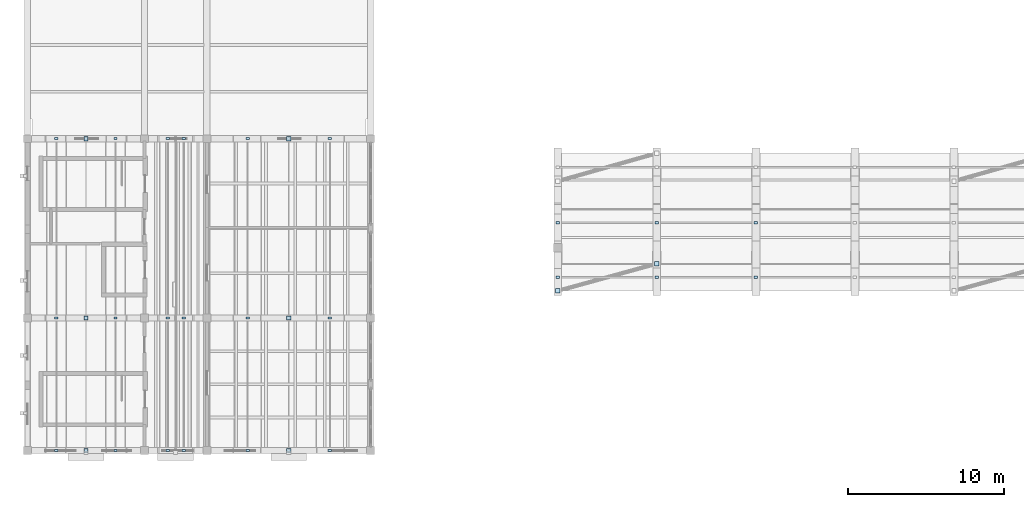
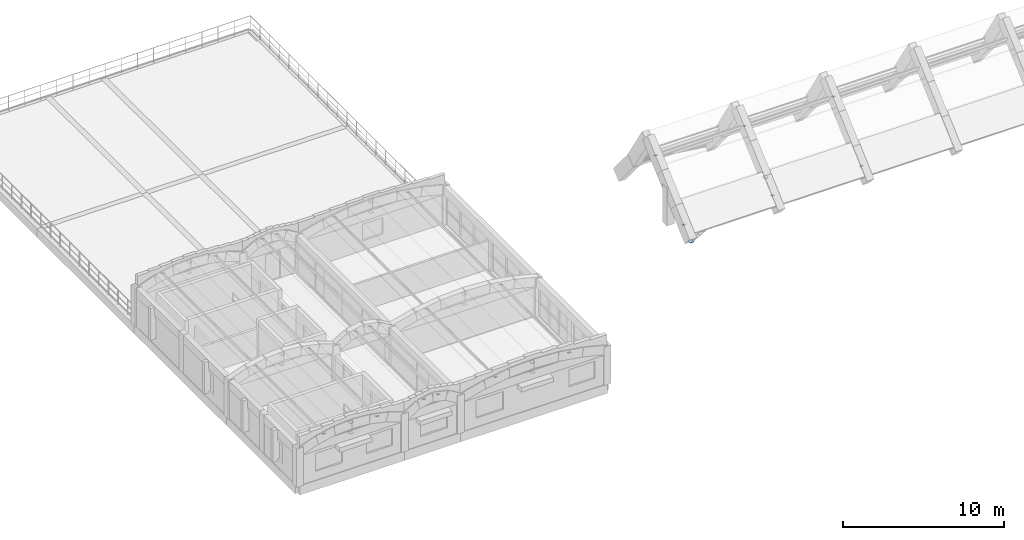
# One storey, part 23 of 40: 38 plates.
"""IFC4 building model written with IfcOpenShell, lengths in metres."""

import ifcopenshell
import ifcopenshell.guid

model = None  # the IFC model being written
_history = None  # IfcOwnerHistory: only IFC2X3 demands one
_inside = {}  # id of a spatial element -> (the spatial element, [elements in it])
_under = {}  # id of a project, library or spatial element -> (it, [spatial elements below it])
_declared = {}  # id of a project -> (the project, [libraries it declares])
_typed = {}  # id of a type object -> (the type object, [elements of that type])
_made_of = {}  # id of a material, layer set ... -> (it, [elements and type objects made of it])


def new_model(schema):
    """Start an empty IFC model of exactly this schema.

    Asked for "IFC4X3", IfcOpenShell would pick the latest addendum, in which some entities
    have other attributes; the version numbers below select the first issue.
    IFC2X3 requires an IfcOwnerHistory on every rooted entity: one is made here for all.
    """
    global model, _history
    if schema == "IFC4X3":
        model = ifcopenshell.file(schema_version=(4, 3, 0, 0))
    else:
        model = ifcopenshell.file(schema=schema)
    _inside.clear()
    _under.clear()
    _declared.clear()
    _typed.clear()
    _made_of.clear()
    _history = None
    if model.schema == "IFC2X3":
        org = make("IfcOrganization", Name="unknown")
        user = make(
            "IfcPersonAndOrganization",
            ThePerson=make("IfcPerson", FamilyName="unknown"),
            TheOrganization=org,
        )
        app = make(
            "IfcApplication",
            ApplicationDeveloper=org,
            Version="unknown",
            ApplicationFullName="unknown",
            ApplicationIdentifier="unknown",
        )
        _history = make(
            "IfcOwnerHistory",
            OwningUser=user,
            OwningApplication=app,
            ChangeAction="ADDED",
            CreationDate=0,
        )
    return model


def make(cls, **values):
    """One entity of the class cls with the attributes given. An attribute that is None is left unset."""
    return model.create_entity(
        cls, **{name: value for name, value in values.items() if value is not None}
    )


def rooted(cls, **values):
    """An entity with a GlobalId (a new one), such as an element, a storey or a relation."""
    return make(cls, GlobalId=ifcopenshell.guid.new(), OwnerHistory=_history, **values)


def si_unit(unit_type, name, prefix=None):
    """IfcSIUnit, for example si_unit("LENGTHUNIT", "METRE", prefix="MILLI")."""
    return make("IfcSIUnit", UnitType=unit_type, Prefix=prefix, Name=name)


def assignment(units):
    """IfcUnitAssignment: the units of a project."""
    return None if units is None else make("IfcUnitAssignment", Units=units)


def point(xyz):
    """IfcCartesianPoint."""
    return None if xyz is None else make("IfcCartesianPoint", Coordinates=xyz)


def direction(xyz):
    """IfcDirection."""
    return None if xyz is None else make("IfcDirection", DirectionRatios=xyz)


def frame(location, z_axis=None, x_axis=None):
    """IfcAxis2Placement3D, a coordinate frame: its origin and axes. An axis left out is left unset."""
    return make(
        "IfcAxis2Placement3D",
        Location=point(location),
        Axis=direction(z_axis),
        RefDirection=direction(x_axis),
    )


def frame_2d(location, x_axis=None):
    """IfcAxis2Placement2D, a coordinate frame in the plane: its origin and x axis."""
    return make(
        "IfcAxis2Placement2D", Location=point(location), RefDirection=direction(x_axis)
    )


def origin():
    """The frame at (0, 0, 0) with its axes left unset."""
    return frame((0.0, 0.0, 0.0))


def origin_2d():
    """The frame at (0, 0) in the plane with its x axis left unset."""
    return frame_2d((0.0, 0.0))


def place(relative_to, where):
    """IfcLocalPlacement: puts the frame where relative to a parent placement (None: the world)."""
    return make(
        "IfcLocalPlacement", PlacementRelTo=relative_to, RelativePlacement=where
    )


def context(
    kind, dimensions, precision=None, world=None, true_north=None, identifier=None
):
    """IfcGeometricRepresentationContext, for example the 3D "Model" context."""
    return make(
        "IfcGeometricRepresentationContext",
        ContextIdentifier=identifier,
        ContextType=kind,
        CoordinateSpaceDimension=dimensions,
        Precision=precision,
        WorldCoordinateSystem=world,
        TrueNorth=true_north,
    )


def subcontext(parent, identifier, kind, view, scale=None):
    """IfcGeometricRepresentationSubContext, for example "Body" below "Model"."""
    return make(
        "IfcGeometricRepresentationSubContext",
        ContextIdentifier=identifier,
        ContextType=kind,
        ParentContext=parent,
        TargetScale=scale,
        TargetView=view,
    )


def project(units=None, contexts=None):
    """IfcProject with its units and contexts."""
    return rooted(
        "IfcProject",
        Name="project",
        RepresentationContexts=contexts,
        UnitsInContext=assignment(units),
    )


def spatial(cls, under=None, at=None, **own):
    """A site, building, storey or space (cls), placed at a placement, below another one or the project."""
    s = rooted(cls, ObjectPlacement=at, **own)
    if under is not None:
        _under.setdefault(under.id(), (under, []))[1].append(s)
    return s


def profile(cls, at=None, kind="AREA", **sizes):
    """A parametric profile (cls). Its sizes go by their IFC names, for example OverallWidth=200.0."""
    return make(cls, ProfileType=kind, Position=at, **sizes)


def rectangle(**sizes):
    """IfcRectangleProfileDef."""
    return profile("IfcRectangleProfileDef", **sizes)


def extrude(swept, where, along, depth):
    """IfcExtrudedAreaSolid: the profile swept, set in the frame where, extruded along a direction by depth."""
    return make(
        "IfcExtrudedAreaSolid",
        SweptArea=swept,
        Position=where,
        ExtrudedDirection=direction(along),
        Depth=depth,
    )


def shape(context_of_items, identifier, shape_type, items):
    """IfcShapeRepresentation: the items that make up one representation, for example the "Body"."""
    return make(
        "IfcShapeRepresentation",
        ContextOfItems=context_of_items,
        RepresentationIdentifier=identifier,
        RepresentationType=shape_type,
        Items=items,
    )


def material(Name=None, Category=None):
    """IfcMaterial."""
    return make("IfcMaterial", Name=Name, Category=Category)


def layer(
    of_material, thickness, ventilated=None, Name=None, Category=None, Priority=None
):
    """IfcMaterialLayer: one layer of a wall or slab, of a material (None: an air gap)."""
    return make(
        "IfcMaterialLayer",
        Material=of_material,
        LayerThickness=thickness,
        IsVentilated=ventilated,
        Name=Name,
        Category=Category,
        Priority=Priority,
    )


def layer_set(layers, Name=None):
    """IfcMaterialLayerSet."""
    return make("IfcMaterialLayerSet", MaterialLayers=layers, LayerSetName=Name)


def made_of(thing, what):
    """Note that an element or type object is made of a material, layer set ...; save() writes the relation."""
    if what is not None:
        _made_of.setdefault(what.id(), (what, []))[1].append(thing)
    return thing


def type_object(cls, material=None, **own):
    """A type object (cls), such as IfcWallType, which elements share."""
    return made_of(rooted(cls, **own), material)


def element(
    cls,
    number,
    at=None,
    inside=None,
    cuts=None,
    type_object=None,
    material=None,
    context=None,
    identifier="Body",
    shape_type=None,
    held_by="IfcProductDefinitionShape",
    body=None,
    shapes=None,
    **own,
):
    """One element of the class cls, such as IfcWall. Its Tag is "e" and its number.

    at: its placement. inside: the storey or other place that contains it. cuts: it is an
    opening in that element (IfcRelVoidsElement). A single representation is given by context,
    identifier, shape_type and body (its items); several are given by shapes. held_by: the class
    of the entity that holds the representations. save() writes the other relations.
    """
    e = rooted(cls, Tag="e%d" % number, ObjectPlacement=at, **own)
    if body is not None:
        shapes = [shape(context, identifier, shape_type, body)]
    if shapes is not None:
        e.Representation = make(held_by, Representations=shapes)
    if inside is not None:
        _inside.setdefault(inside.id(), (inside, []))[1].append(e)
    if cuts is not None:
        rooted(
            "IfcRelVoidsElement", RelatingBuildingElement=cuts, RelatedOpeningElement=e
        )
    if type_object is not None:
        _typed.setdefault(type_object.id(), (type_object, []))[1].append(e)
    return made_of(e, material)


def aggregate(whole, parts):
    """IfcRelAggregates: a whole, such as a stair, and the parts it consists of."""
    return rooted("IfcRelAggregates", RelatingObject=whole, RelatedObjects=parts)


def save(model, path):
    """Write the relations noted so far, then the file.

    IfcRelAggregates (storeys below a building ...), IfcRelContainedInSpatialStructure (elements
    in a storey), IfcRelDefinesByType, IfcRelAssociatesMaterial and IfcRelDeclares: one each for
    every whole, place, type object, material and project.
    """
    for whole, parts in _under.values():
        aggregate(whole, parts)
    for where, things in _inside.values():
        rooted(
            "IfcRelContainedInSpatialStructure",
            RelatedElements=things,
            RelatingStructure=where,
        )
    for kind, things in _typed.values():
        rooted("IfcRelDefinesByType", RelatedObjects=things, RelatingType=kind)
    for what, things in _made_of.values():
        rooted("IfcRelAssociatesMaterial", RelatedObjects=things, RelatingMaterial=what)
    for by, libraries in _declared.values():
        rooted("IfcRelDeclares", RelatingContext=by, RelatedDefinitions=libraries)
    model.write(path)


model = new_model("IFC4")

# Units and contexts
model_context = context("Model", 3, precision=1e-05, world=origin(), true_north=direction((0.0, 1.0)))
body_context = subcontext(model_context, "Body", "Model", "MODEL_VIEW")
ifc_project = project(units=[si_unit("LENGTHUNIT", "METRE"), si_unit("AREAUNIT", "SQUARE_METRE"), si_unit("VOLUMEUNIT", "CUBIC_METRE"), si_unit("PLANEANGLEUNIT", "RADIAN"), si_unit("MASSUNIT", "GRAM", prefix="KILO")], contexts=[model_context])

# Site, building, storey
site_placement = place(None, origin())
site = spatial("IfcSite", under=ifc_project, at=site_placement, CompositionType="ELEMENT")
building_placement = place(site_placement, origin())
building = spatial("IfcBuilding", under=site, at=building_placement, Name="Trellovar Central Fire Station", CompositionType="ELEMENT")
storey_placement = place(building_placement, frame((0.0, 0.0, 12.75)))
storey = spatial("IfcBuildingStorey", under=building, at=storey_placement, Name="L04", CompositionType="ELEMENT", Elevation=12.75)

# Plates
ifc_material_1 = material(Name="Steel ASTM A36", Category="steel")
ifc_layer_1 = layer(ifc_material_1, 0.02001953125)
ifc_layer_set_1 = layer_set([ifc_layer_1], Name="Steel ASTM A36")
plate_type_1 = type_object("IfcPlateType", Name="PLT-EP2", PredefinedType="SHEET", material=ifc_layer_set_1)
for number, where, z_axis, x_axis, name in (
    (1, (4.75, 9.0, 2.590087890625), (0.0, 0.0, 1.0), (1.0, 0.0, 0.0), "HSS end-cap plate 1"),
    (2, (4.75, 9.0, 3.369873046875), (0.0, 0.0, 1.0), (1.0, 0.0, 0.0), "HSS end-cap plate 2"),
    (3, (4.75, 17.5, 2.590087890625), (0.0, 0.0, 1.0), (1.0, 0.0, 0.0), "HSS end-cap plate 3"),
    (4, (4.75, 17.5, 3.369873046875), (0.0, 0.0, 1.0), (1.0, 0.0, 0.0), "HSS end-cap plate 4"),
    (5, (4.75, 29.0, 2.590087890625), (0.0, 0.0, 1.0), (1.0, 0.0, 0.0), "HSS end-cap plate 5"),
    (6, (4.75, 29.0, 3.369873046875), (0.0, 0.0, 1.0), (1.0, 0.0, 0.0), "HSS end-cap plate 6"),
    (7, (17.75, 9.0, 2.590087890625), (0.0, 0.0, 1.0), (1.0, 0.0, 0.0), "HSS end-cap plate 19"),
    (8, (17.75, 9.0, 3.369873046875), (0.0, 0.0, 1.0), (1.0, 0.0, 0.0), "HSS end-cap plate 20"),
    (9, (17.75, 17.5, 2.590087890625), (0.0, 0.0, 1.0), (1.0, 0.0, 0.0), "HSS end-cap plate 21"),
    (10, (17.75, 17.5, 3.369873046875), (0.0, 0.0, 1.0), (1.0, 0.0, 0.0), "HSS end-cap plate 22"),
    (11, (17.75, 29.0, 2.590087890625), (0.0, 0.0, 1.0), (1.0, 0.0, 0.0), "HSS end-cap plate 23"),
    (12, (17.75, 29.0, 3.369873046875), (0.0, 0.0, 1.0), (1.0, 0.0, 0.0), "HSS end-cap plate 24"),
    (13, (35.0, 19.239990234375, 0.239990234375), (0.0, 0.0, 1.0), (1.0, 0.0, 0.0), "HSS end-cap plate 203"),
    (14, (41.35009765625, 20.98681640625, 1.806640625), (0.0, 0.0, 1.0), (1.0, 0.0, 0.0), "HSS end-cap plate 204"),
):
    element("IfcPlate", number, at=place(storey_placement, frame(where, z_axis=z_axis, x_axis=x_axis)), inside=storey, type_object=plate_type_1, Name=name, PredefinedType="SHEET", context=body_context, shape_type="SweptSolid", body=[
        extrude(rectangle(XDim=0.280029296875, YDim=0.280029296875, at=origin_2d()), origin(), (0.0, 0.0, 1.0), 0.02001953125),
    ])
ifc_material_2 = material(Name="Steel ASTM A36", Category="steel")
ifc_layer_2 = layer(ifc_material_2, 0.01611328125)
ifc_layer_set_2 = layer_set([ifc_layer_2], Name="Steel ASTM A36")
plate_type_2 = type_object("IfcPlateType", Name="PLT-EP4", PredefinedType="SHEET", material=ifc_layer_set_2)
for number, where, z_axis, x_axis, name in (
    (15, (2.857177734375, 9.0, 3.18603515625), (0.0, 0.0, 1.0), (1.0, 0.0, 0.0), "HSS end-cap plate 7"),
    (16, (2.857177734375, 17.5, 3.18603515625), (0.0, 0.0, 1.0), (1.0, 0.0, 0.0), "HSS end-cap plate 8"),
    (17, (2.857177734375, 29.0, 3.18603515625), (0.0, 0.0, 1.0), (1.0, 0.0, 0.0), "HSS end-cap plate 9"),
    (18, (6.642578125, 9.0, 3.18603515625), (0.0, 0.0, 1.0), (1.0, 0.0, 0.0), "HSS end-cap plate 10"),
    (19, (6.642578125, 17.5, 3.18603515625), (0.0, 0.0, 1.0), (1.0, 0.0, 0.0), "HSS end-cap plate 11"),
    (20, (6.642578125, 29.0, 3.18603515625), (0.0, 0.0, 1.0), (1.0, 0.0, 0.0), "HSS end-cap plate 12"),
    (21, (9.9833984375, 9.0, 3.30859375), (0.0, 0.0, 1.0), (1.0, 0.0, 0.0), "HSS end-cap plate 13"),
    (22, (9.9833984375, 17.5, 3.30859375), (0.0, 0.0, 1.0), (1.0, 0.0, 0.0), "HSS end-cap plate 14"),
    (23, (9.9833984375, 29.0, 3.30859375), (0.0, 0.0, 1.0), (1.0, 0.0, 0.0), "HSS end-cap plate 15"),
    (24, (11.0166015625, 9.0, 3.30859375), (0.0, 0.0, 1.0), (1.0, 0.0, 0.0), "HSS end-cap plate 16"),
    (25, (11.0166015625, 17.5, 3.30859375), (0.0, 0.0, 1.0), (1.0, 0.0, 0.0), "HSS end-cap plate 17"),
    (26, (11.0166015625, 29.0, 3.30859375), (0.0, 0.0, 1.0), (1.0, 0.0, 0.0), "HSS end-cap plate 18"),
    (27, (15.1123046875, 9.0, 3.187744140625), (0.0, 0.0, 1.0), (1.0, 0.0, 0.0), "HSS end-cap plate 25"),
    (28, (15.1123046875, 17.5, 3.187744140625), (0.0, 0.0, 1.0), (1.0, 0.0, 0.0), "HSS end-cap plate 26"),
    (29, (15.1123046875, 29.0, 3.187744140625), (0.0, 0.0, 1.0), (1.0, 0.0, 0.0), "HSS end-cap plate 27"),
    (30, (20.3876953125, 9.0, 3.187744140625), (0.0, 0.0, 1.0), (1.0, 0.0, 0.0), "HSS end-cap plate 28"),
    (31, (20.3876953125, 17.5, 3.187744140625), (0.0, 0.0, 1.0), (1.0, 0.0, 0.0), "HSS end-cap plate 29"),
    (32, (20.3876953125, 29.0, 3.187744140625), (0.0, 0.0, 1.0), (1.0, 0.0, 0.0), "HSS end-cap plate 30"),
    (33, (35.0, 20.11328125, 0.9853515625), (0.0, 0.0, 1.0), (1.0, 0.0, 0.0), "HSS end-cap plate 201"),
    (34, (41.35009765625, 20.11328125, 0.9853515625), (0.0, 0.0, 1.0), (1.0, 0.0, 0.0), "HSS end-cap plate 202"),
    (35, (35.0, 23.606689453125, 4.11865234375), (0.0, 0.0, 1.0), (1.0, 0.0, 0.0), "HSS end-cap plate 205"),
    (36, (41.35009765625, 23.606689453125, 4.11865234375), (0.0, 0.0, 1.0), (1.0, 0.0, 0.0), "HSS end-cap plate 206"),
    (37, (47.699951171875, 20.11328125, 0.9853515625), (0.0, 0.0, 1.0), (1.0, 0.0, 0.0), "HSS end-cap plate 224"),
    (38, (47.699951171875, 23.606689453125, 4.11865234375), (0.0, 0.0, 1.0), (1.0, 0.0, 0.0), "HSS end-cap plate 225"),
):
    element("IfcPlate", number, at=place(storey_placement, frame(where, z_axis=z_axis, x_axis=x_axis)), inside=storey, type_object=plate_type_2, Name=name, PredefinedType="SHEET", context=body_context, shape_type="SweptSolid", body=[
        extrude(rectangle(XDim=0.219970703125, YDim=0.139892578125, at=origin_2d()), origin(), (0.0, 0.0, 1.0), 0.01611328125),
    ])

save(model, "model.ifc")
